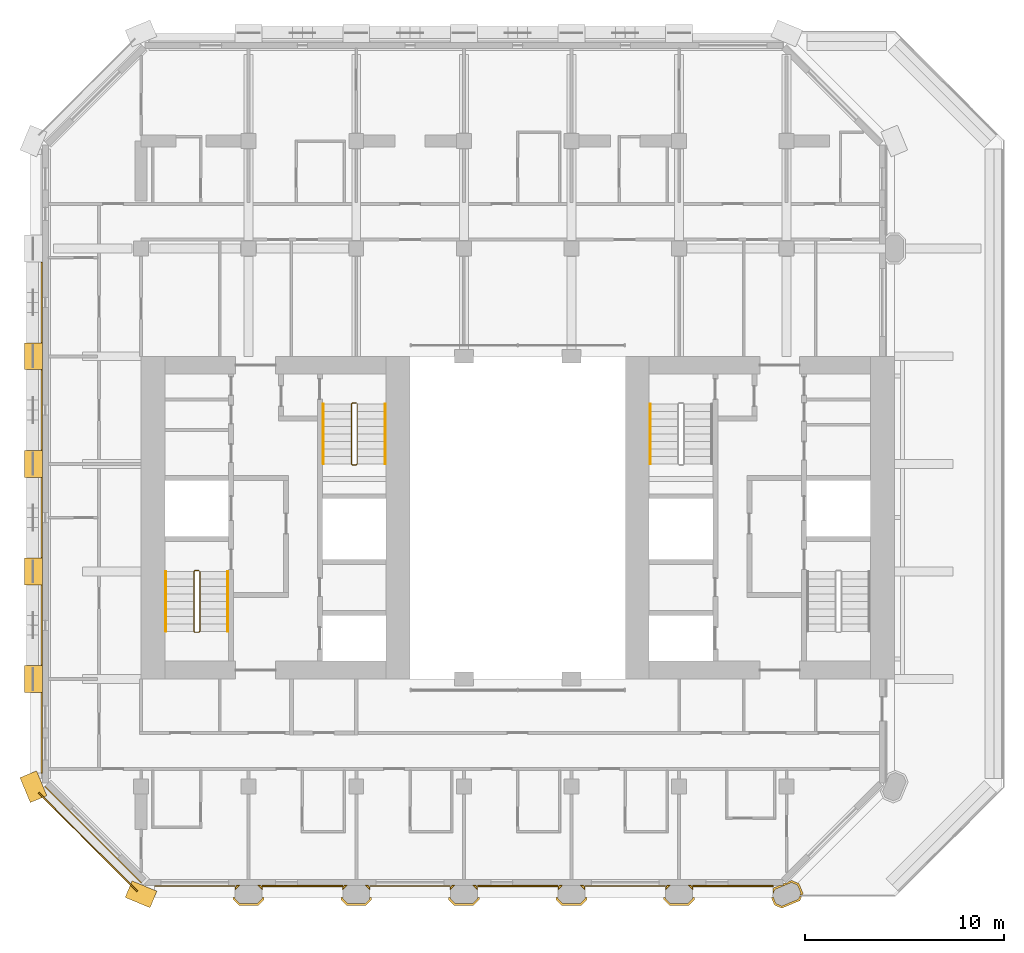
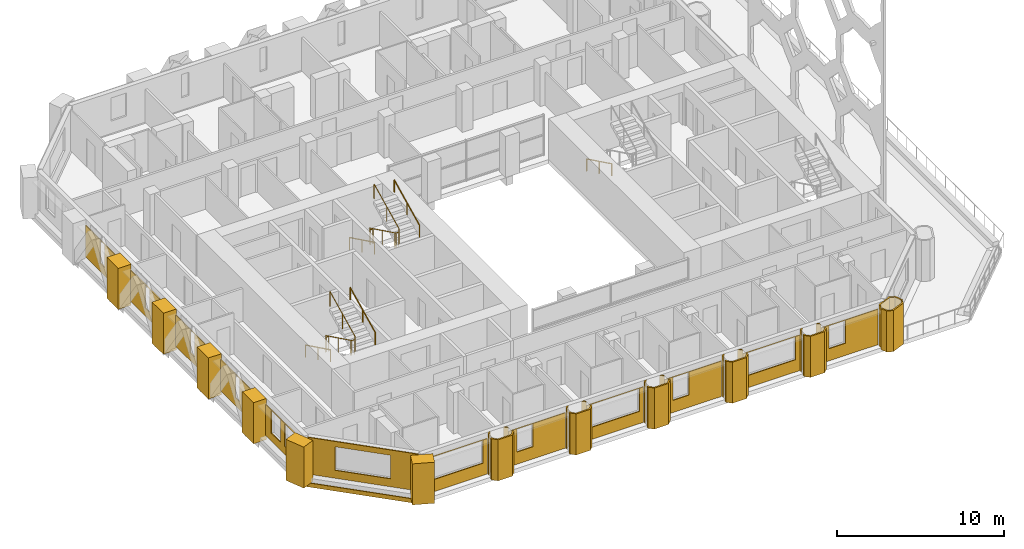
# One storey, part 13 of 15: 36 coverings, 7 railings.
"""IFC4 building model written with IfcOpenShell, lengths in metres."""

from ifc_helpers import new_model, si_unit, direction, frame, frame_2d, origin, origin_2d, place, context, subcontext, project, spatial, polyline, rectangle, circle, outline, extrude, material, layer, layer_set, type_object, element, save


model = new_model("IFC4")

# Units and contexts
model_context = context("Model", 3, precision=1e-05, world=origin(), true_north=direction((0.0, 1.0)))
body_context = subcontext(model_context, "Body", "Model", "MODEL_VIEW")
ifc_project = project(units=[si_unit("LENGTHUNIT", "METRE"), si_unit("AREAUNIT", "SQUARE_METRE"), si_unit("VOLUMEUNIT", "CUBIC_METRE"), si_unit("PLANEANGLEUNIT", "RADIAN"), si_unit("MASSUNIT", "GRAM", prefix="KILO")], contexts=[model_context])

# Site, building, storey
site_placement = place(None, origin())
site = spatial("IfcSite", under=ifc_project, at=site_placement, CompositionType="ELEMENT")
building_placement = place(site_placement, origin())
building = spatial("IfcBuilding", under=site, at=building_placement, Name="Tabaq Tower and Sports Hall", CompositionType="ELEMENT")
storey_placement = place(building_placement, frame((0.0, 0.0, 207.10009765625)))
storey = spatial("IfcBuildingStorey", under=building, at=storey_placement, Name="L51", CompositionType="ELEMENT", Elevation=207.10009765625)

# Coverings
ifc_material_1 = material(Name="Precast concrete C60/75", Category="concrete")
ifc_layer_1 = layer(ifc_material_1, 0.10009765625)
ifc_layer_set_1 = layer_set([ifc_layer_1], Name="Column cladding 100")
covering_type_1 = type_object("IfcCoveringType", Name="Column cladding 100", PredefinedType="CLADDING", material=ifc_layer_set_1)
covering_1_placement = place(storey_placement, origin())
element("IfcCovering", 1, at=covering_1_placement, inside=storey, type_object=covering_type_1, Name="Column cladding L51 PC-3B-H3", PredefinedType="CLADDING", context=body_context, shape_type="SweptSolid", body=[
    extrude(outline(polyline([(10.025390625, 5.249755859375), (10.124755859375, 5.249755859375), (10.124755859375, 5.1748046875), (10.349853515625, 4.94970703125), (11.250244140625, 4.94970703125), (11.475341796875, 5.1748046875), (11.475341796875, 5.249755859375), (11.57470703125, 5.249755859375), (11.57470703125, 5.1337890625), (11.291259765625, 4.850341796875), (10.30859375, 4.850341796875), (10.025390625, 5.1337890625), (10.025390625, 5.249755859375)])), origin(), (0.0, 0.0, 1.0), 3.0),
])
covering_2_placement = place(storey_placement, origin())
element("IfcCovering", 2, at=covering_2_placement, inside=storey, type_object=covering_type_1, Name="Column cladding L51 PC-3B-H3 2", PredefinedType="CLADDING", context=body_context, shape_type="SweptSolid", body=[
    extrude(outline(polyline([(10.208740234375, 5.849609375), (10.349365234375, 5.849609375), (10.125244140625, 5.625732421875), (10.125244140625, 5.766357421875), (10.208740234375, 5.849609375)])), origin(), (0.0, 0.0, 1.0), 3.0),
])
covering_3_placement = place(storey_placement, origin())
element("IfcCovering", 3, at=covering_3_placement, inside=storey, type_object=covering_type_1, Name="Column cladding L51 PC-3B-H3 3", PredefinedType="CLADDING", context=body_context, shape_type="SweptSolid", body=[
    extrude(outline(polyline([(11.474609375, 5.766357421875), (11.474609375, 5.625732421875), (11.250732421875, 5.849609375), (11.391357421875, 5.849609375), (11.474609375, 5.766357421875)])), origin(), (0.0, 0.0, 1.0), 3.0),
])
covering_4_placement = place(storey_placement, origin())
element("IfcCovering", 4, at=covering_4_placement, inside=storey, type_object=covering_type_1, Name="Column cladding L51 PC-4B-H3", PredefinedType="CLADDING", context=body_context, shape_type="SweptSolid", body=[
    extrude(outline(polyline([(15.42529296875, 5.249755859375), (15.524658203125, 5.249755859375), (15.524658203125, 5.1748046875), (15.749755859375, 4.94970703125), (16.650146484375, 4.94970703125), (16.875244140625, 5.1748046875), (16.875244140625, 5.249755859375), (16.974609375, 5.249755859375), (16.974609375, 5.1337890625), (16.69140625, 4.850341796875), (15.708740234375, 4.850341796875), (15.42529296875, 5.1337890625), (15.42529296875, 5.249755859375)])), origin(), (0.0, 0.0, 1.0), 3.0),
])
covering_5_placement = place(storey_placement, origin())
element("IfcCovering", 5, at=covering_5_placement, inside=storey, type_object=covering_type_1, Name="Column cladding L51 PC-4B-H3 2", PredefinedType="CLADDING", context=body_context, shape_type="SweptSolid", body=[
    extrude(outline(polyline([(16.874755859375, 5.766357421875), (16.874755859375, 5.625732421875), (16.650634765625, 5.849609375), (16.791259765625, 5.849609375), (16.874755859375, 5.766357421875)])), origin(), (0.0, 0.0, 1.0), 3.0),
])
covering_6_placement = place(storey_placement, origin())
element("IfcCovering", 6, at=covering_6_placement, inside=storey, type_object=covering_type_1, Name="Column cladding L51 PC-4B-H3 3", PredefinedType="CLADDING", context=body_context, shape_type="SweptSolid", body=[
    extrude(outline(polyline([(15.608642578125, 5.849609375), (15.749267578125, 5.849609375), (15.525390625, 5.625732421875), (15.525390625, 5.766357421875), (15.608642578125, 5.849609375)])), origin(), (0.0, 0.0, 1.0), 3.0),
])
covering_7_placement = place(storey_placement, origin())
element("IfcCovering", 7, at=covering_7_placement, inside=storey, type_object=covering_type_1, Name="Column cladding L51 PC-5B-H3", PredefinedType="CLADDING", context=body_context, shape_type="SweptSolid", body=[
    extrude(outline(polyline([(20.82568359375, 5.24951171875), (20.92431640625, 5.24951171875), (20.92431640625, 5.1748046875), (21.149658203125, 4.949462890625), (22.05029296875, 4.949462890625), (22.275634765625, 5.1748046875), (22.275634765625, 5.24951171875), (22.37451171875, 5.24951171875), (22.37451171875, 5.1337890625), (22.091064453125, 4.8505859375), (21.10888671875, 4.8505859375), (20.82568359375, 5.1337890625), (20.82568359375, 5.24951171875)])), origin(), (0.0, 0.0, 1.0), 3.0),
])
covering_8_placement = place(storey_placement, origin())
element("IfcCovering", 8, at=covering_8_placement, inside=storey, type_object=covering_type_1, Name="Column cladding L51 PC-5B-H3 2", PredefinedType="CLADDING", context=body_context, shape_type="SweptSolid", body=[
    extrude(outline(polyline([(22.274658203125, 5.766357421875), (22.274658203125, 5.625732421875), (22.05078125, 5.849609375), (22.19140625, 5.849609375), (22.274658203125, 5.766357421875)])), origin(), (0.0, 0.0, 1.0), 3.0),
])
covering_9_placement = place(storey_placement, origin())
element("IfcCovering", 9, at=covering_9_placement, inside=storey, type_object=covering_type_1, Name="Column cladding L51 PC-5B-H3 3", PredefinedType="CLADDING", context=body_context, shape_type="SweptSolid", body=[
    extrude(outline(polyline([(20.925537109375, 5.62646484375), (20.925537109375, 5.76611328125), (21.0087890625, 5.849365234375), (21.1484375, 5.849365234375), (20.925537109375, 5.62646484375)])), origin(), (0.0, 0.0, 1.0), 3.0),
])
covering_10_placement = place(storey_placement, origin())
element("IfcCovering", 10, at=covering_10_placement, inside=storey, type_object=covering_type_1, Name="Column cladding L51 PC-6B-H3", PredefinedType="CLADDING", context=body_context, shape_type="SweptSolid", body=[
    extrude(outline(polyline([(26.225341796875, 5.249755859375), (26.32470703125, 5.249755859375), (26.32470703125, 5.1748046875), (26.5498046875, 4.94970703125), (27.4501953125, 4.94970703125), (27.67529296875, 5.1748046875), (27.67529296875, 5.249755859375), (27.774658203125, 5.249755859375), (27.774658203125, 5.1337890625), (27.4912109375, 4.850341796875), (26.5087890625, 4.850341796875), (26.225341796875, 5.1337890625), (26.225341796875, 5.249755859375)])), origin(), (0.0, 0.0, 1.0), 3.0),
])
covering_11_placement = place(storey_placement, origin())
element("IfcCovering", 11, at=covering_11_placement, inside=storey, type_object=covering_type_1, Name="Column cladding L51 PC-6B-H3 2", PredefinedType="CLADDING", context=body_context, shape_type="SweptSolid", body=[
    extrude(outline(polyline([(26.40869140625, 5.849609375), (26.54931640625, 5.849609375), (26.3251953125, 5.625732421875), (26.3251953125, 5.766357421875), (26.40869140625, 5.849609375)])), origin(), (0.0, 0.0, 1.0), 3.0),
])
covering_12_placement = place(storey_placement, origin())
element("IfcCovering", 12, at=covering_12_placement, inside=storey, type_object=covering_type_1, Name="Column cladding L51 PC-6B-H3 3", PredefinedType="CLADDING", context=body_context, shape_type="SweptSolid", body=[
    extrude(outline(polyline([(27.6748046875, 5.766357421875), (27.6748046875, 5.625732421875), (27.45068359375, 5.849609375), (27.59130859375, 5.849609375), (27.6748046875, 5.766357421875)])), origin(), (0.0, 0.0, 1.0), 3.0),
])
covering_13_placement = place(storey_placement, origin())
element("IfcCovering", 13, at=covering_13_placement, inside=storey, type_object=covering_type_1, Name="Column cladding L51 PC-7B-H3", PredefinedType="CLADDING", context=body_context, shape_type="SweptSolid", body=[
    extrude(outline(polyline([(31.62548828125, 5.24951171875), (31.724365234375, 5.24951171875), (31.724365234375, 5.1748046875), (31.94970703125, 4.949462890625), (32.850341796875, 4.949462890625), (33.07568359375, 5.1748046875), (33.07568359375, 5.24951171875), (33.17431640625, 5.24951171875), (33.17431640625, 5.1337890625), (32.89111328125, 4.8505859375), (31.908935546875, 4.8505859375), (31.62548828125, 5.1337890625), (31.62548828125, 5.24951171875)])), origin(), (0.0, 0.0, 1.0), 3.0),
])
covering_14_placement = place(storey_placement, origin())
element("IfcCovering", 14, at=covering_14_placement, inside=storey, type_object=covering_type_1, Name="Column cladding L51 PC-7B-H3 2", PredefinedType="CLADDING", context=body_context, shape_type="SweptSolid", body=[
    extrude(outline(polyline([(31.80859375, 5.849609375), (31.94921875, 5.849609375), (31.725341796875, 5.625732421875), (31.725341796875, 5.766357421875), (31.80859375, 5.849609375)])), origin(), (0.0, 0.0, 1.0), 3.0),
])
covering_15_placement = place(storey_placement, origin())
element("IfcCovering", 15, at=covering_15_placement, inside=storey, type_object=covering_type_1, Name="Column cladding L51 PC-7B-H3 3", PredefinedType="CLADDING", context=body_context, shape_type="SweptSolid", body=[
    extrude(outline(polyline([(33.074462890625, 5.62646484375), (32.8515625, 5.849365234375), (32.9912109375, 5.849365234375), (33.074462890625, 5.76611328125), (33.074462890625, 5.62646484375)])), origin(), (0.0, 0.0, 1.0), 3.0),
])
covering_16_placement = place(storey_placement, origin())
element("IfcCovering", 16, at=covering_16_placement, inside=storey, type_object=covering_type_1, Name="Column cladding L51 PC-8B-H3", PredefinedType="CLADDING", context=body_context, shape_type="SweptSolid", body=[
    extrude(outline(polyline([(37.1357421875, 5.7197265625), (37.44921875, 5.849609375), (37.614013671875, 5.849609375), (37.614013671875, 5.91796875), (37.767578125, 5.9814453125), (37.799072265625, 5.9501953125), (37.875, 6.026123046875), (38.04345703125, 6.095947265625), (38.413818359375, 5.9423828125), (38.61767578125, 5.450439453125), (38.580322265625, 5.3603515625), (38.47265625, 5.3603515625), (38.510009765625, 5.450439453125), (38.337646484375, 5.866455078125), (38.04345703125, 5.98828125), (37.2119140625, 5.643798828125), (37.125244140625, 5.434814453125), (37.125244140625, 5.694580078125), (37.1357421875, 5.7197265625)])), origin(), (0.0, 0.0, 1.0), 3.0),
])
covering_17_placement = place(storey_placement, origin())
element("IfcCovering", 17, at=covering_17_placement, inside=storey, type_object=covering_type_1, Name="Column cladding L51 PC-8B-H3 2", PredefinedType="CLADDING", context=body_context, shape_type="SweptSolid", body=[
    extrude(outline(polyline([(37.023681640625, 5.249755859375), (37.125244140625, 5.249755859375), (37.125244140625, 5.26416015625), (37.26220703125, 4.93359375), (37.556396484375, 4.811767578125), (38.38818359375, 5.15625), (38.439208984375, 5.27978515625), (38.546875, 5.27978515625), (38.46435546875, 5.080078125), (37.556396484375, 4.7041015625), (37.186279296875, 4.857421875), (37.023681640625, 5.249755859375)])), origin(), (0.0, 0.0, 1.0), 3.0),
])
ifc_material_2 = material(Name="Precast concrete C60/75", Category="concrete")
ifc_layer_2 = layer(ifc_material_2, 0.06005859375)
ifc_layer_set_2 = layer_set([ifc_layer_2], Name="Edge beam cladding 60")
covering_type_2 = type_object("IfcCoveringType", Name="Edge beam cladding 60", PredefinedType="CLADDING", material=ifc_layer_set_2)
covering_18_placement = place(storey_placement, frame((0.26318359375, 10.494384765625, -0.300048828125), z_axis=(0.0, 0.0, 1.0), x_axis=(0.707106781187, -0.707106781187, 0.0)))
element("IfcCovering", 18, at=covering_18_placement, inside=storey, type_object=covering_type_2, Name="Edge beam cladding L51 4", PredefinedType="CLADDING", context=body_context, shape_type="SweptSolid", body=[
    extrude(rectangle(XDim=6.984375, YDim=0.06005859375, at=frame_2d((3.4921875, 0.0))), origin(), (0.0, 0.0, 1.0), 0.300048828125),
])
ifc_material_3 = material(Name="White precast concrete C60/75", Category="concrete")
covering_type_3 = type_object("IfcCoveringType", Name="Pier cladding hung 1350x900", PredefinedType="CLADDING", material=ifc_material_3)
for number, where, z_axis, x_axis, name in (
    (19, (-0.25830078125, 11.423583984375, 0.0), (0.0, 0.0, 1.0), (0.382649923473, -0.923893411637, 0.0), "Hung pier cladding 0/2"),
    (20, (0.0, 16.875, 0.0), (0.0, 0.0, 1.0), (0.0, -1.0, 0.0), "Hung pier cladding 0/3"),
):
    element("IfcCovering", number, at=place(storey_placement, frame(where, z_axis=z_axis, x_axis=x_axis)), inside=storey, type_object=covering_type_3, Name=name, PredefinedType="CLADDING", context=body_context, shape_type="SweptSolid", body=[
        extrude(rectangle(XDim=1.35009765625, YDim=0.89990234375, at=frame_2d((0.675048828125, 0.0))), origin(), (0.0, 0.0, 1.0), 3.0),
    ])
covering_19_placement = place(storey_placement, frame((0.0, 22.27490234375, 0.0), z_axis=(0.0, 0.0, 1.0), x_axis=(0.0, -1.0, 0.0)))
element("IfcCovering", 21, at=covering_19_placement, inside=storey, type_object=covering_type_3, Name="Hung pier cladding 0/4", PredefinedType="CLADDING", context=body_context, shape_type="SweptSolid", body=[
    extrude(rectangle(XDim=1.349853515625, YDim=0.89990234375, at=frame_2d((0.6748046875, 0.0))), origin(), (0.0, 0.0, 1.0), 3.0),
])
covering_20_placement = place(storey_placement, frame((0.0, 27.675048828125, 0.0), z_axis=(0.0, 0.0, 1.0), x_axis=(0.0, -1.0, 0.0)))
element("IfcCovering", 22, at=covering_20_placement, inside=storey, type_object=covering_type_3, Name="Hung pier cladding 0/5", PredefinedType="CLADDING", context=body_context, shape_type="SweptSolid", body=[
    extrude(rectangle(XDim=1.35009765625, YDim=0.89990234375, at=frame_2d((0.675048828125, 0.0))), origin(), (0.0, 0.0, 1.0), 3.0),
])
covering_21_placement = place(storey_placement, frame((0.0, 33.074951171875, 0.0), z_axis=(0.0, 0.0, 1.0), x_axis=(0.0, -1.0, 0.0)))
element("IfcCovering", 23, at=covering_21_placement, inside=storey, type_object=covering_type_3, Name="Hung pier cladding 0/6", PredefinedType="CLADDING", context=body_context, shape_type="SweptSolid", body=[
    extrude(rectangle(XDim=1.349853515625, YDim=0.89990234375, at=frame_2d((0.6748046875, 0.0))), origin(), (0.0, 0.0, 1.0), 3.0),
])
covering_22_placement = place(storey_placement, frame((4.7763671875, 5.658203125, 0.0), z_axis=(0.0, 0.0, 1.0), x_axis=(0.923893411637, -0.382649923473, 0.0)))
element("IfcCovering", 24, at=covering_22_placement, inside=storey, type_object=covering_type_3, Name="Hung pier cladding 1/1", PredefinedType="CLADDING", context=body_context, shape_type="SweptSolid", body=[
    extrude(rectangle(XDim=1.35009765625, YDim=0.89990234375, at=frame_2d((0.675048828125, 0.0))), origin(), (0.0, 0.0, 1.0), 3.0),
])

# Railings
ifc_material_4 = material(Name="Stainless steel", Category="steel")
railing_type_1 = type_object("IfcRailingType", Name="Stair guard", PredefinedType="GUARDRAIL", material=ifc_material_4)
railing_1_placement = place(storey_placement, frame((8.300048828125, 21.64990234375, 0.0)))
element("IfcRailing", 25, at=railing_1_placement, inside=storey, type_object=railing_type_1, Name="L51 ST1 stair guard 1", PredefinedType="GUARDRAIL", context=body_context, shape_type="SweptSolid", body=[
    extrude(circle(Radius=0.02392578125, at=origin_2d()), frame((0.0, 0.0, 1.076171875), z_axis=(-1.0, 0.0, 0.0), x_axis=(0.0, -1.0, 0.0)), (0.0, 0.0, 1.0), 0.199951171875),
    extrude(circle(Radius=0.02392578125, at=origin_2d()), frame((-0.199951171875, 0.0, 1.076171875), z_axis=(-0.254733673405, -0.25349107012, 0.933195066962), x_axis=(0.705375805398, -0.708833529934, 0.0)), (0.0, 0.0, 1.0), 0.196533203125),
    extrude(circle(Radius=0.02392578125, at=origin_2d()), frame((-0.25, -0.0498046875, 1.25927734375), z_axis=(0.0, -0.898397823093, 0.439182594671), x_axis=(1.0, 0.0, 0.0)), (0.0, 0.0, 1.0), 3.33935546875),
    extrude(circle(Radius=0.02392578125, at=origin_2d()), frame((-0.25, -3.0498046875, 2.72607421875), z_axis=(0.707106781187, -0.707106781187, 0.0), x_axis=(0.707106781187, 0.707106781187, 0.0)), (0.0, 0.0, 1.0), 0.07080078125),
    extrude(circle(Radius=0.02392578125, at=origin_2d()), frame((-0.199951171875, -3.099853515625, 2.72607421875), z_axis=(1.0, 0.0, 0.0), x_axis=(0.0, 1.0, 0.0)), (0.0, 0.0, 1.0), 0.199951171875),
    extrude(circle(Radius=0.02392578125, at=origin_2d()), frame((0.0, -3.099853515625, 2.72607421875), z_axis=(0.254653276557, 0.254653276557, 0.932900539971), x_axis=(-0.707106781187, 0.707106781187, 0.0)), (0.0, 0.0, 1.0), 0.196533203125),
    extrude(circle(Radius=0.02392578125, at=origin_2d()), frame((0.050048828125, -3.0498046875, 2.9091796875), z_axis=(0.0, 0.898397823093, 0.439182594671), x_axis=(-1.0, 0.0, 0.0)), (0.0, 0.0, 1.0), 3.33935546875),
    extrude(circle(Radius=0.02099609375, at=origin_2d()), origin(), (0.0, 0.0, 1.0), 1.052001953125),
    extrude(circle(Radius=0.02099609375, at=origin_2d()), frame((-0.199951171875, 0.0, 0.0)), (0.0, 0.0, 1.0), 1.052001953125),
    extrude(circle(Radius=0.02099609375, at=origin_2d()), frame((-0.25, -0.0498046875, 0.183349609375)), (0.0, 0.0, 1.0), 1.052001953125),
    extrude(circle(Radius=0.02099609375, at=origin_2d()), frame((-0.25, -1.5498046875, 0.91650390625)), (0.0, 0.0, 1.0), 1.052001953125),
    extrude(circle(Radius=0.02099609375, at=origin_2d()), frame((-0.25, -3.0498046875, 1.64990234375)), (0.0, 0.0, 1.0), 1.052001953125),
    extrude(circle(Radius=0.02099609375, at=origin_2d()), frame((-0.199951171875, -3.099853515625, 1.64990234375)), (0.0, 0.0, 1.0), 1.052001953125),
    extrude(circle(Radius=0.02099609375, at=origin_2d()), frame((0.0, -3.099853515625, 1.64990234375)), (0.0, 0.0, 1.0), 1.052001953125),
    extrude(circle(Radius=0.02099609375, at=origin_2d()), frame((0.050048828125, -3.0498046875, 1.833251953125)), (0.0, 0.0, 1.0), 1.052001953125),
    extrude(circle(Radius=0.02099609375, at=origin_2d()), frame((0.050048828125, -1.5498046875, 2.56640625)), (0.0, 0.0, 1.0), 1.052001953125),
    extrude(circle(Radius=0.02099609375, at=origin_2d()), frame((0.050048828125, -0.0498046875, 3.2998046875)), (0.0, 0.0, 1.0), 1.052001953125),
])
railing_2_placement = place(storey_placement, frame((16.199951171875, 30.050048828125, 0.0)))
element("IfcRailing", 26, at=railing_2_placement, inside=storey, type_object=railing_type_1, Name="L51 ST2 stair guard 1", PredefinedType="GUARDRAIL", context=body_context, shape_type="SweptSolid", body=[
    extrude(circle(Radius=0.02392578125, at=origin_2d()), frame((0.0, 0.0, 1.076171875), z_axis=(-1.0, 0.0, 0.0), x_axis=(0.0, -1.0, 0.0)), (0.0, 0.0, 1.0), 0.199951171875),
    extrude(circle(Radius=0.02392578125, at=origin_2d()), frame((-0.199951171875, 0.0, 1.076171875), z_axis=(-0.254653276557, -0.254653276557, 0.932900539971), x_axis=(0.707106781187, -0.707106781187, 0.0)), (0.0, 0.0, 1.0), 0.196533203125),
    extrude(circle(Radius=0.02392578125, at=origin_2d()), frame((-0.25, -0.050048828125, 1.25927734375), z_axis=(0.0, -0.898397823093, 0.439182594671), x_axis=(1.0, 0.0, 0.0)), (0.0, 0.0, 1.0), 3.33935546875),
    extrude(circle(Radius=0.02392578125, at=origin_2d()), frame((-0.25, -3.050048828125, 2.72607421875), z_axis=(0.707106781187, -0.707106781187, 0.0), x_axis=(0.707106781187, 0.707106781187, 0.0)), (0.0, 0.0, 1.0), 0.07080078125),
    extrude(circle(Radius=0.02392578125, at=origin_2d()), frame((-0.199951171875, -3.10009765625, 2.72607421875), z_axis=(1.0, 0.0, 0.0), x_axis=(0.0, 1.0, 0.0)), (0.0, 0.0, 1.0), 0.199951171875),
    extrude(circle(Radius=0.02392578125, at=origin_2d()), frame((0.0, -3.10009765625, 2.72607421875), z_axis=(0.254653276557, 0.254653276557, 0.932900539971), x_axis=(-0.707106781187, 0.707106781187, 0.0)), (0.0, 0.0, 1.0), 0.196533203125),
    extrude(circle(Radius=0.02392578125, at=origin_2d()), frame((0.050048828125, -3.050048828125, 2.9091796875), z_axis=(0.0, 0.898397823093, 0.439182594671), x_axis=(-1.0, 0.0, 0.0)), (0.0, 0.0, 1.0), 3.33935546875),
    extrude(circle(Radius=0.02099609375, at=origin_2d()), origin(), (0.0, 0.0, 1.0), 1.052001953125),
    extrude(circle(Radius=0.02099609375, at=origin_2d()), frame((-0.199951171875, 0.0, 0.0)), (0.0, 0.0, 1.0), 1.052001953125),
    extrude(circle(Radius=0.02099609375, at=origin_2d()), frame((-0.25, -0.050048828125, 0.183349609375)), (0.0, 0.0, 1.0), 1.052001953125),
    extrude(circle(Radius=0.02099609375, at=origin_2d()), frame((-0.25, -1.550048828125, 0.91650390625)), (0.0, 0.0, 1.0), 1.052001953125),
    extrude(circle(Radius=0.02099609375, at=origin_2d()), frame((-0.25, -3.050048828125, 1.64990234375)), (0.0, 0.0, 1.0), 1.052001953125),
    extrude(circle(Radius=0.02099609375, at=origin_2d()), frame((-0.199951171875, -3.10009765625, 1.64990234375)), (0.0, 0.0, 1.0), 1.052001953125),
    extrude(circle(Radius=0.02099609375, at=origin_2d()), frame((0.0, -3.10009765625, 1.64990234375)), (0.0, 0.0, 1.0), 1.052001953125),
    extrude(circle(Radius=0.02099609375, at=origin_2d()), frame((0.050048828125, -3.050048828125, 1.833251953125)), (0.0, 0.0, 1.0), 1.052001953125),
    extrude(circle(Radius=0.02099609375, at=origin_2d()), frame((0.050048828125, -1.550048828125, 2.56640625)), (0.0, 0.0, 1.0), 1.052001953125),
    extrude(circle(Radius=0.02099609375, at=origin_2d()), frame((0.050048828125, -0.050048828125, 3.2998046875)), (0.0, 0.0, 1.0), 1.052001953125),
])
ifc_material_5 = material(Name="Stainless steel", Category="steel")
railing_type_2 = type_object("IfcRailingType", Name="Stair handrail", PredefinedType="HANDRAIL", material=ifc_material_5)
railing_3_placement = place(storey_placement, frame((6.64990234375, 21.60009765625, 0.183349609375)))
element("IfcRailing", 27, at=railing_3_placement, inside=storey, type_object=railing_type_2, Name="L51 ST1 stair handrail 1", PredefinedType="HANDRAIL", context=body_context, shape_type="SweptSolid", body=[
    extrude(circle(Radius=0.02392578125, at=origin_2d()), frame((0.0, 0.0, 0.8759765625), z_axis=(0.0, -0.898397823093, 0.439182594671), x_axis=(1.0, 0.0, 0.0)), (0.0, 0.0, 1.0), 3.33935546875),
    extrude(circle(Radius=0.02099609375, at=origin_2d()), origin(), (0.0, 0.0, 1.0), 0.851806640625),
    extrude(circle(Radius=0.02099609375, at=origin_2d()), frame((0.0, -1.5, 0.7333984375)), (0.0, 0.0, 1.0), 0.851806640625),
    extrude(circle(Radius=0.02099609375, at=origin_2d()), frame((0.0, -3.0, 1.466552734375)), (0.0, 0.0, 1.0), 0.851806640625),
])
railing_4_placement = place(storey_placement, frame((9.75, 18.60009765625, 1.833251953125)))
element("IfcRailing", 28, at=railing_4_placement, inside=storey, type_object=railing_type_2, Name="L51 ST1 stair handrail 2", PredefinedType="HANDRAIL", context=body_context, shape_type="SweptSolid", body=[
    extrude(circle(Radius=0.02392578125, at=origin_2d()), frame((0.0, 0.0, 0.8759765625), z_axis=(0.0, 0.898397823093, 0.439182594671), x_axis=(-1.0, 0.0, 0.0)), (0.0, 0.0, 1.0), 3.33935546875),
    extrude(circle(Radius=0.02099609375, at=origin_2d()), origin(), (0.0, 0.0, 1.0), 0.851806640625),
    extrude(circle(Radius=0.02099609375, at=origin_2d()), frame((0.0, 1.5, 0.7333984375)), (0.0, 0.0, 1.0), 0.851806640625),
    extrude(circle(Radius=0.02099609375, at=origin_2d()), frame((0.0, 3.0, 1.466552734375)), (0.0, 0.0, 1.0), 0.851806640625),
])
railing_5_placement = place(storey_placement, frame((14.550048828125, 30.0, 0.183349609375)))
element("IfcRailing", 29, at=railing_5_placement, inside=storey, type_object=railing_type_2, Name="L51 ST2 stair handrail 1", PredefinedType="HANDRAIL", context=body_context, shape_type="SweptSolid", body=[
    extrude(circle(Radius=0.02392578125, at=origin_2d()), frame((0.0, 0.0, 0.8759765625), z_axis=(0.0, -0.898397823093, 0.439182594671), x_axis=(1.0, 0.0, 0.0)), (0.0, 0.0, 1.0), 3.33935546875),
    extrude(circle(Radius=0.02099609375, at=origin_2d()), origin(), (0.0, 0.0, 1.0), 0.851806640625),
    extrude(circle(Radius=0.02099609375, at=origin_2d()), frame((0.0, -1.5, 0.7333984375)), (0.0, 0.0, 1.0), 0.851806640625),
    extrude(circle(Radius=0.02099609375, at=origin_2d()), frame((0.0, -3.0, 1.466552734375)), (0.0, 0.0, 1.0), 0.851806640625),
])
railing_6_placement = place(storey_placement, frame((17.64990234375, 27.0, 1.833251953125)))
element("IfcRailing", 30, at=railing_6_placement, inside=storey, type_object=railing_type_2, Name="L51 ST2 stair handrail 2", PredefinedType="HANDRAIL", context=body_context, shape_type="SweptSolid", body=[
    extrude(circle(Radius=0.02392578125, at=origin_2d()), frame((0.0, 0.0, 0.8759765625), z_axis=(0.0, 0.898397823093, 0.439182594671), x_axis=(-1.0, 0.0, 0.0)), (0.0, 0.0, 1.0), 3.33935546875),
    extrude(circle(Radius=0.02099609375, at=origin_2d()), origin(), (0.0, 0.0, 1.0), 0.851806640625),
    extrude(circle(Radius=0.02099609375, at=origin_2d()), frame((0.0, 1.5, 0.7333984375)), (0.0, 0.0, 1.0), 0.851806640625),
    extrude(circle(Radius=0.02099609375, at=origin_2d()), frame((0.0, 3.0, 1.466552734375)), (0.0, 0.0, 1.0), 0.851806640625),
])
railing_7_placement = place(storey_placement, frame((30.949951171875, 30.0, 0.183349609375)))
element("IfcRailing", 31, at=railing_7_placement, inside=storey, type_object=railing_type_2, Name="L51 ST4 stair handrail 1", PredefinedType="HANDRAIL", context=body_context, shape_type="SweptSolid", body=[
    extrude(circle(Radius=0.02392578125, at=origin_2d()), frame((0.0, 0.0, 0.8759765625), z_axis=(0.0, -0.898397823093, 0.439182594671), x_axis=(1.0, 0.0, 0.0)), (0.0, 0.0, 1.0), 3.33935546875),
    extrude(circle(Radius=0.02099609375, at=origin_2d()), origin(), (0.0, 0.0, 1.0), 0.851806640625),
    extrude(circle(Radius=0.02099609375, at=origin_2d()), frame((0.0, -1.5, 0.7333984375)), (0.0, 0.0, 1.0), 0.851806640625),
    extrude(circle(Radius=0.02099609375, at=origin_2d()), frame((0.0, -3.0, 1.466552734375)), (0.0, 0.0, 1.0), 0.851806640625),
])

# Coverings
ifc_material_6 = material(Name="Precast concrete C60/75", Category="concrete")
ifc_layer_3 = layer(ifc_material_6, 0.06005859375)
ifc_layer_set_3 = layer_set([ifc_layer_3], Name="White precast cladding panel 60 C60/75")
covering_type_4 = type_object("IfcCoveringType", Name="White precast cladding panel 60 C60/75", PredefinedType="CLADDING", material=ifc_layer_set_3)
covering_23_placement = place(storey_placement, frame((6.06494140625, 5.820068359375, 0.0), z_axis=(0.0, 0.0, 1.0), x_axis=(1.0, 0.0, 0.0)))
element("IfcCovering", 32, at=covering_23_placement, inside=storey, type_object=covering_type_4, Name="White precast cladding panel L51 wall00", PredefinedType="CLADDING", context=body_context, shape_type="SweptSolid", body=[
    extrude(outline(polyline([(0.0, 0.0), (4.050048828125, 0.0), (4.050048828125, 2.58984375), (0.0, 2.58984375), (0.0, 0.0)]), holes=[polyline([(3.7451171875, 0.889892578125), (0.324951171875, 0.889892578125), (0.324951171875, 2.559814453125), (3.7451171875, 2.559814453125), (3.7451171875, 0.889892578125)])]), frame((0.0, 0.030029296875, 0.0), z_axis=(0.0, -1.0, 0.0), x_axis=(1.0, 0.0, 0.0)), (0.0, 0.0, 1.0), 0.06005859375),
])
covering_24_placement = place(storey_placement, frame((11.485107421875, 5.820068359375, 0.0), z_axis=(0.0, 0.0, 1.0), x_axis=(1.0, 0.0, 0.0)))
element("IfcCovering", 33, at=covering_24_placement, inside=storey, type_object=covering_type_4, Name="White precast cladding panel L51 wall00 2", PredefinedType="CLADDING", context=body_context, shape_type="SweptSolid", body=[
    extrude(outline(polyline([(0.0, 0.0), (4.02978515625, 0.0), (4.02978515625, 2.58984375), (0.0, 2.58984375), (0.0, 0.0)]), holes=[polyline([(1.77490234375, 0.889892578125), (0.655029296875, 0.889892578125), (0.655029296875, 2.559814453125), (1.77490234375, 2.559814453125), (1.77490234375, 0.889892578125)])]), frame((0.0, 0.030029296875, 0.0), z_axis=(0.0, -1.0, 0.0), x_axis=(1.0, 0.0, 0.0)), (0.0, 0.0, 1.0), 0.06005859375),
])
covering_25_placement = place(storey_placement, frame((16.885009765625, 5.820068359375, 0.0), z_axis=(0.0, 0.0, 1.0), x_axis=(1.0, 0.0, 0.0)))
element("IfcCovering", 34, at=covering_25_placement, inside=storey, type_object=covering_type_4, Name="White precast cladding panel L51 wall00 3", PredefinedType="CLADDING", context=body_context, shape_type="SweptSolid", body=[
    extrude(outline(polyline([(0.0, 0.0), (4.030029296875, 0.0), (4.030029296875, 2.58984375), (0.0, 2.58984375), (0.0, 0.0)]), holes=[polyline([(3.72509765625, 0.889892578125), (0.304931640625, 0.889892578125), (0.304931640625, 2.559814453125), (3.72509765625, 2.559814453125), (3.72509765625, 0.889892578125)])]), frame((0.0, 0.030029296875, 0.0), z_axis=(0.0, -1.0, 0.0), x_axis=(1.0, 0.0, 0.0)), (0.0, 0.0, 1.0), 0.06005859375),
])
covering_26_placement = place(storey_placement, frame((22.284912109375, 5.820068359375, 0.0), z_axis=(0.0, 0.0, 1.0), x_axis=(1.0, 0.0, 0.0)))
element("IfcCovering", 35, at=covering_26_placement, inside=storey, type_object=covering_type_4, Name="White precast cladding panel L51 wall00 4", PredefinedType="CLADDING", context=body_context, shape_type="SweptSolid", body=[
    extrude(outline(polyline([(0.0, 0.0), (4.030029296875, 0.0), (4.030029296875, 2.58984375), (0.0, 2.58984375), (0.0, 0.0)]), holes=[polyline([(1.77490234375, 0.889892578125), (0.655029296875, 0.889892578125), (0.655029296875, 2.559814453125), (1.77490234375, 2.559814453125), (1.77490234375, 0.889892578125)])]), frame((0.0, 0.030029296875, 0.0), z_axis=(0.0, -1.0, 0.0), x_axis=(1.0, 0.0, 0.0)), (0.0, 0.0, 1.0), 0.06005859375),
])
covering_27_placement = place(storey_placement, frame((27.68505859375, 5.820068359375, 0.0), z_axis=(0.0, 0.0, 1.0), x_axis=(1.0, 0.0, 0.0)))
element("IfcCovering", 36, at=covering_27_placement, inside=storey, type_object=covering_type_4, Name="White precast cladding panel L51 wall00 5", PredefinedType="CLADDING", context=body_context, shape_type="SweptSolid", body=[
    extrude(outline(polyline([(0.0, 0.0), (4.030029296875, 0.0), (4.030029296875, 2.58984375), (0.0, 2.58984375), (0.0, 0.0)]), holes=[polyline([(3.72509765625, 0.889892578125), (0.304931640625, 0.889892578125), (0.304931640625, 2.559814453125), (3.72509765625, 2.559814453125), (3.72509765625, 0.889892578125)])]), frame((0.0, 0.030029296875, 0.0), z_axis=(0.0, -1.0, 0.0), x_axis=(1.0, 0.0, 0.0)), (0.0, 0.0, 1.0), 0.06005859375),
])
covering_28_placement = place(storey_placement, frame((33.0849609375, 5.820068359375, 0.0), z_axis=(0.0, 0.0, 1.0), x_axis=(1.0, 0.0, 0.0)))
element("IfcCovering", 37, at=covering_28_placement, inside=storey, type_object=covering_type_4, Name="White precast cladding panel L51 wall00 6", PredefinedType="CLADDING", context=body_context, shape_type="SweptSolid", body=[
    extrude(outline(polyline([(0.0, 0.0), (4.050048828125, 0.0), (4.050048828125, 2.58984375), (0.0, 2.58984375), (0.0, 0.0)]), holes=[polyline([(1.77490234375, 0.889892578125), (0.655029296875, 0.889892578125), (0.655029296875, 2.559814453125), (1.77490234375, 2.559814453125), (1.77490234375, 0.889892578125)])]), frame((0.0, 0.030029296875, 0.0), z_axis=(0.0, -1.0, 0.0), x_axis=(1.0, 0.0, 0.0)), (0.0, 0.0, 1.0), 0.06005859375),
])
for number, where, z_axis, x_axis, name in (
    (38, (0.419921875, 37.114990234375, 0.309814453125), (0.0, 0.0, 1.0), (0.0, -1.0, 0.0), "White precast cladding panel L51 wall06 2"),
    (39, (0.419921875, 31.715087890625, 0.309814453125), (0.0, 0.0, 1.0), (0.0, -1.0, 0.0), "White precast cladding panel L51 wall06 3"),
    (40, (0.419921875, 26.31494140625, 0.309814453125), (0.0, 0.0, 1.0), (0.0, -1.0, 0.0), "White precast cladding panel L51 wall06 4"),
    (41, (0.419921875, 20.9150390625, 0.309814453125), (0.0, 0.0, 1.0), (0.0, -1.0, 0.0), "White precast cladding panel L51 wall06 5"),
):
    element("IfcCovering", number, at=place(storey_placement, frame(where, z_axis=z_axis, x_axis=x_axis)), inside=storey, type_object=covering_type_4, Name=name, PredefinedType="CLADDING", context=body_context, shape_type="SweptSolid", body=[
        extrude(outline(polyline([(0.0, 0.0), (4.030029296875, 0.0), (4.030029296875, 2.280029296875), (0.0, 2.280029296875), (0.0, 0.0)]), holes=[polyline([(2.27490234375, 0.580078125), (1.7548828125, 0.580078125), (1.7548828125, 2.25), (2.27490234375, 2.25), (2.27490234375, 0.580078125)])]), frame((0.0, 0.030029296875, 0.0), z_axis=(0.0, -1.0, 0.0), x_axis=(1.0, 0.0, 0.0)), (0.0, 0.0, 1.0), 0.06005859375),
    ])
covering_29_placement = place(storey_placement, frame((0.419921875, 15.514892578125, 0.309814453125), z_axis=(0.0, 0.0, 1.0), x_axis=(0.0, -1.0, 0.0)))
element("IfcCovering", 42, at=covering_29_placement, inside=storey, type_object=covering_type_4, Name="White precast cladding panel L51 wall06 6", PredefinedType="CLADDING", context=body_context, shape_type="SweptSolid", body=[
    extrude(outline(polyline([(0.0, 0.0), (4.0498046875, 0.0), (4.0498046875, 2.280029296875), (0.0, 2.280029296875), (0.0, 0.0)]), holes=[polyline([(0.655029296875, 0.580078125), (0.655029296875, 2.25), (1.77490234375, 2.25), (1.77490234375, 0.580078125), (0.655029296875, 0.580078125)]), polyline([(2.2548828125, 0.580078125), (2.2548828125, 2.25), (3.375, 2.25), (3.375, 0.580078125), (2.2548828125, 0.580078125)])]), frame((0.0, 0.030029296875, 0.0), z_axis=(0.0, -1.0, 0.0), x_axis=(1.0, 0.0, 0.0)), (0.0, 0.0, 1.0), 0.06005859375),
])
covering_30_placement = place(storey_placement, frame((0.57421875, 10.81982421875, 0.309814453125), z_axis=(0.0, 0.0, 1.0), x_axis=(0.707106781187, -0.707106781187, 0.0)))
element("IfcCovering", 43, at=covering_30_placement, inside=storey, type_object=covering_type_4, Name="White precast cladding panel L51 wall07", PredefinedType="CLADDING", context=body_context, shape_type="SweptSolid", body=[
    extrude(outline(polyline([(0.0, 0.0), (6.856201171875, 0.0), (6.856201171875, 2.690185546875), (0.0, 2.690185546875), (0.0, 0.0)]), holes=[polyline([(1.71630859375, 0.580078125), (1.71630859375, 2.300048828125), (5.13623046875, 2.300048828125), (5.13623046875, 0.580078125), (1.71630859375, 0.580078125)])]), frame((0.0, 0.030029296875, 0.0), z_axis=(0.0, -1.0, 0.0), x_axis=(1.0, 0.0, 0.0)), (0.0, 0.0, 1.0), 0.06005859375),
])

save(model, "model.ifc")
